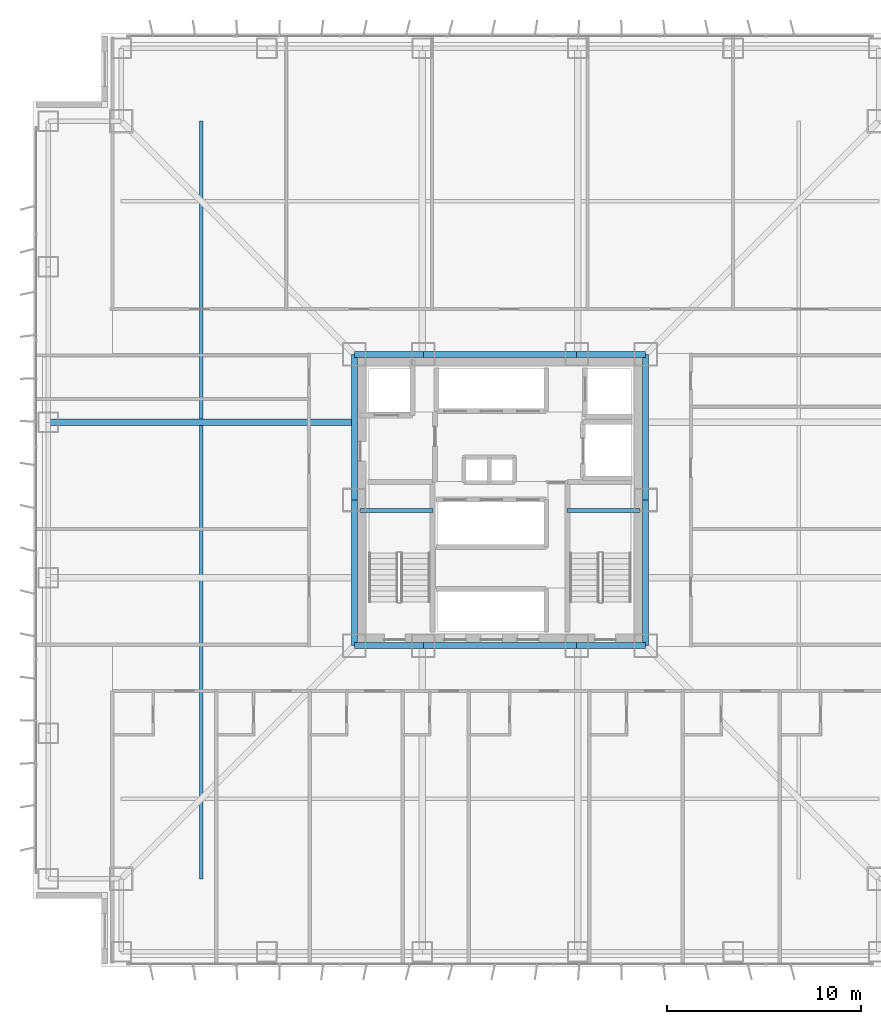
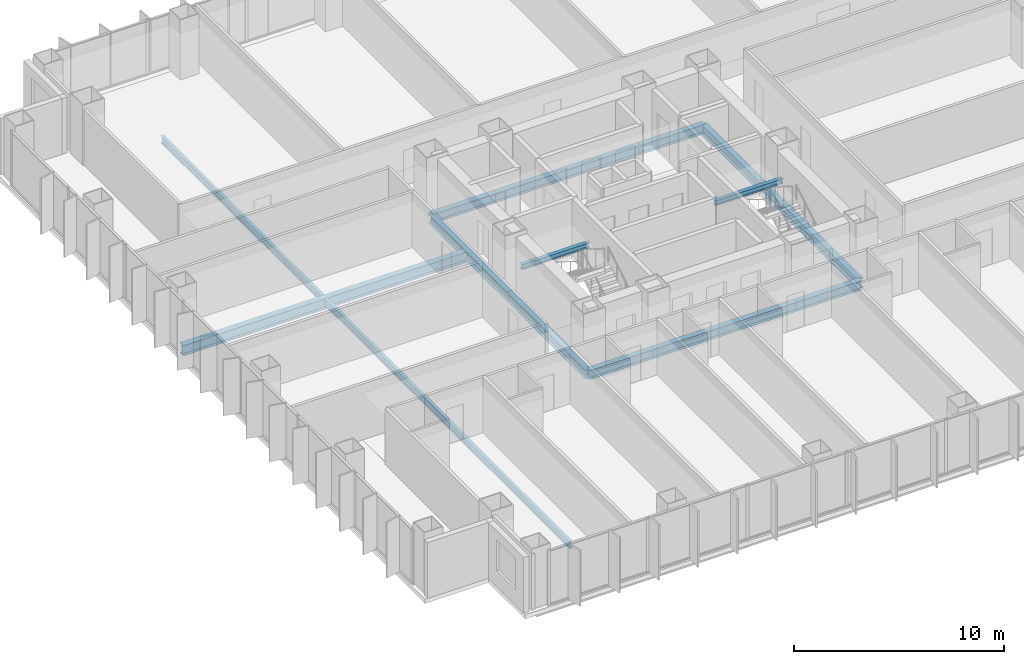
# One storey, part 5 of 19: 14 beams.
"""IFC4 building model written with IfcOpenShell, lengths in metres."""

from ifc_helpers import new_model, si_unit, direction, frame, origin, origin_2d, place, context, subcontext, project, spatial, i_section, extrude, material, material_profile, profile_set, type_object, element, save


model = new_model("IFC4")

# Units and contexts
model_context = context("Model", 3, precision=1e-05, world=origin(), true_north=direction((0.0, 1.0)))
body_context = subcontext(model_context, "Body", "Model", "MODEL_VIEW")
ifc_project = project(units=[si_unit("LENGTHUNIT", "METRE"), si_unit("AREAUNIT", "SQUARE_METRE"), si_unit("VOLUMEUNIT", "CUBIC_METRE"), si_unit("PLANEANGLEUNIT", "RADIAN"), si_unit("MASSUNIT", "GRAM", prefix="KILO")], contexts=[model_context])

# Site, building, storey
site_placement = place(None, origin())
site = spatial("IfcSite", under=ifc_project, at=site_placement, CompositionType="ELEMENT")
building_placement = place(site_placement, origin())
building = spatial("IfcBuilding", under=site, at=building_placement, Name="Trevonay Congress Spire", CompositionType="ELEMENT")
storey_placement = place(building_placement, frame((0.0, 0.0, 58.5)))
storey = spatial("IfcBuildingStorey", under=building, at=storey_placement, Name="L14", CompositionType="ELEMENT", Elevation=58.5)

# Beams
ifc_material = material(Name="Steel ASTM A572 Grade 50", Category="steel")
ifc_material_profile_1 = material_profile(ifc_material, i_section(OverallWidth=0.31201171875, OverallDepth=0.54296875, WebThickness=0.0126953125, FlangeThickness=0.020263671875, FilletRadius=0.014892578125, at=origin_2d()), Name="W530x150")
ifc_profile_set_1 = profile_set([ifc_material_profile_1], Name="Steel ASTM A572 Grade 50")
beam_type_1 = type_object("IfcBeamType", Name="BM-GIRD-W530X150", PredefinedType="BEAM", material=ifc_profile_set_1)
beam_1_placement = place(storey_placement, frame((-7.5, -7.5, -0.521484375), z_axis=(1.0, 0.0, 0.0), x_axis=(0.0, 1.0, 0.0)))
element("IfcBeam", 1, at=beam_1_placement, inside=storey, type_object=beam_type_1, Name="L14 structural beam BM-L14-CR-S1", PredefinedType="BEAM", context=body_context, shape_type="SweptSolid", body=[
    extrude(i_section(OverallWidth=0.31201171875, OverallDepth=0.54296875, WebThickness=0.0126953125, FlangeThickness=0.020263671875, FilletRadius=0.014892578125, at=origin_2d()), origin(), (0.0, 0.0, 1.0), 3.550048828125),
])
beam_2_placement = place(storey_placement, frame((-3.949951171875, -7.5, -0.521484375), z_axis=(1.0, 0.0, 0.0), x_axis=(0.0, 1.0, 0.0)))
element("IfcBeam", 2, at=beam_2_placement, inside=storey, type_object=beam_type_1, Name="L14 structural beam BM-L14-CR-S2", PredefinedType="BEAM", context=body_context, shape_type="SweptSolid", body=[
    extrude(i_section(OverallWidth=0.31201171875, OverallDepth=0.54296875, WebThickness=0.0126953125, FlangeThickness=0.020263671875, FilletRadius=0.014892578125, at=origin_2d()), origin(), (0.0, 0.0, 1.0), 7.89990234375),
])
for number, where, z_axis, x_axis, name in (
    (3, (3.949951171875, -7.5, -0.521484375), (1.0, 0.0, 0.0), (0.0, 1.0, 0.0), "L14 structural beam BM-L14-CR-S3"),
    (4, (-7.5, 7.5, -0.521484375), (1.0, 0.0, 0.0), (0.0, 1.0, 0.0), "L14 structural beam BM-L14-CR-N1"),
):
    element("IfcBeam", number, at=place(storey_placement, frame(where, z_axis=z_axis, x_axis=x_axis)), inside=storey, type_object=beam_type_1, Name=name, PredefinedType="BEAM", context=body_context, shape_type="SweptSolid", body=[
        extrude(i_section(OverallWidth=0.31201171875, OverallDepth=0.54296875, WebThickness=0.0126953125, FlangeThickness=0.020263671875, FilletRadius=0.014892578125, at=origin_2d()), origin(), (0.0, 0.0, 1.0), 3.550048828125),
    ])
beam_3_placement = place(storey_placement, frame((-3.949951171875, 7.5, -0.521484375), z_axis=(1.0, 0.0, 0.0), x_axis=(0.0, 1.0, 0.0)))
element("IfcBeam", 5, at=beam_3_placement, inside=storey, type_object=beam_type_1, Name="L14 structural beam BM-L14-CR-N2", PredefinedType="BEAM", context=body_context, shape_type="SweptSolid", body=[
    extrude(i_section(OverallWidth=0.31201171875, OverallDepth=0.54296875, WebThickness=0.0126953125, FlangeThickness=0.020263671875, FilletRadius=0.014892578125, at=origin_2d()), origin(), (0.0, 0.0, 1.0), 7.89990234375),
])
beam_4_placement = place(storey_placement, frame((3.949951171875, 7.5, -0.521484375), z_axis=(1.0, 0.0, 0.0), x_axis=(0.0, 1.0, 0.0)))
element("IfcBeam", 6, at=beam_4_placement, inside=storey, type_object=beam_type_1, Name="L14 structural beam BM-L14-CR-N3", PredefinedType="BEAM", context=body_context, shape_type="SweptSolid", body=[
    extrude(i_section(OverallWidth=0.31201171875, OverallDepth=0.54296875, WebThickness=0.0126953125, FlangeThickness=0.020263671875, FilletRadius=0.014892578125, at=origin_2d()), origin(), (0.0, 0.0, 1.0), 3.550048828125),
])
for number, where, z_axis, x_axis, name in (
    (7, (-7.5, -7.5, -0.521484375), (0.0, 1.0, 0.0), (-1.0, 0.0, 0.0), "L14 structural beam BM-L14-CR-W1"),
    (8, (-7.5, 0.0, -0.521484375), (0.0, 1.0, 0.0), (-1.0, 0.0, 0.0), "L14 structural beam BM-L14-CR-W2"),
    (9, (7.5, -7.5, -0.521484375), (0.0, 1.0, 0.0), (-1.0, 0.0, 0.0), "L14 structural beam BM-L14-CR-E1"),
    (10, (7.5, 0.0, -0.521484375), (0.0, 1.0, 0.0), (-1.0, 0.0, 0.0), "L14 structural beam BM-L14-CR-E2"),
):
    element("IfcBeam", number, at=place(storey_placement, frame(where, z_axis=z_axis, x_axis=x_axis)), inside=storey, type_object=beam_type_1, Name=name, PredefinedType="BEAM", context=body_context, shape_type="SweptSolid", body=[
        extrude(i_section(OverallWidth=0.31201171875, OverallDepth=0.54296875, WebThickness=0.0126953125, FlangeThickness=0.020263671875, FilletRadius=0.014892578125, at=origin_2d()), origin(), (0.0, 0.0, 1.0), 7.5),
    ])
ifc_material_profile_2 = material_profile(ifc_material, i_section(OverallWidth=0.324951171875, OverallDepth=0.615966796875, WebThickness=0.013916015625, FlangeThickness=0.021484375, FilletRadius=0.01806640625, at=origin_2d()), Name="W610x174")
ifc_profile_set_2 = profile_set([ifc_material_profile_2], Name="Steel ASTM A572 Grade 50")
beam_type_2 = type_object("IfcBeamType", Name="BM-GIRD-W610X174", PredefinedType="BEAM", material=ifc_profile_set_2)
beam_5_placement = place(storey_placement, frame((-7.5, 4.0, -0.55810546875), z_axis=(-1.0, 0.0, 0.0), x_axis=(0.0, -1.0, 0.0)))
element("IfcBeam", 11, at=beam_5_placement, inside=storey, type_object=beam_type_2, Name="L14 structural beam BM-L14-GW-P", PredefinedType="BEAM", context=body_context, shape_type="SweptSolid", body=[
    extrude(i_section(OverallWidth=0.324951171875, OverallDepth=0.615966796875, WebThickness=0.013916015625, FlangeThickness=0.021484375, FilletRadius=0.01806640625, at=origin_2d()), origin(), (0.0, 0.0, 1.0), 15.75),
])
ifc_material_profile_3 = material_profile(ifc_material, i_section(OverallWidth=0.177978515625, OverallDepth=0.406982421875, WebThickness=0.0078125, FlangeThickness=0.0126953125, FilletRadius=0.012939453125, at=origin_2d()), Name="W410x60")
ifc_profile_set_3 = profile_set([ifc_material_profile_3], Name="Steel ASTM A572 Grade 50")
beam_type_3 = type_object("IfcBeamType", Name="JS-COMP-W410X60", PredefinedType="JOIST", material=ifc_profile_set_3)
beam_6_placement = place(storey_placement, frame((-15.375, -19.5, -0.45361328125), z_axis=(0.0, 1.0, 0.0), x_axis=(-1.0, 0.0, 0.0)))
element("IfcBeam", 12, at=beam_6_placement, inside=storey, type_object=beam_type_3, Name="L14 structural beam JS-L14-RING-W", PredefinedType="JOIST", context=body_context, shape_type="SweptSolid", body=[
    extrude(i_section(OverallWidth=0.177978515625, OverallDepth=0.406982421875, WebThickness=0.0078125, FlangeThickness=0.0126953125, FilletRadius=0.012939453125, at=origin_2d()), origin(), (0.0, 0.0, 1.0), 39.0),
])
ifc_material_profile_4 = material_profile(ifc_material, i_section(OverallWidth=0.2041015625, OverallDepth=0.305908203125, WebThickness=0.008544921875, FlangeThickness=0.0146484375, FilletRadius=0.010986328125, at=origin_2d()), Name="W310x67")
ifc_profile_set_4 = profile_set([ifc_material_profile_4], Name="Steel ASTM A572 Grade 50")
beam_type_4 = type_object("IfcBeamType", Name="LN-CORE-W310X67", PredefinedType="LINTEL", material=ifc_profile_set_4)
for number, where, z_axis, x_axis, name in (
    (13, (-7.199951171875, -0.550048828125, 1.39697265625), (1.0, 0.0, 0.0), (0.0, 1.0, 0.0), "L14 structural beam BM-L14-HL-ST1"),
    (14, (3.449951171875, -0.550048828125, 1.39697265625), (1.0, 0.0, 0.0), (0.0, 1.0, 0.0), "L14 structural beam BM-L14-HL-ST2"),
):
    element("IfcBeam", number, at=place(storey_placement, frame(where, z_axis=z_axis, x_axis=x_axis)), inside=storey, type_object=beam_type_4, Name=name, PredefinedType="LINTEL", context=body_context, shape_type="SweptSolid", body=[
        extrude(i_section(OverallWidth=0.2041015625, OverallDepth=0.305908203125, WebThickness=0.008544921875, FlangeThickness=0.0146484375, FilletRadius=0.010986328125, at=origin_2d()), origin(), (0.0, 0.0, 1.0), 3.75),
    ])

save(model, "model.ifc")
